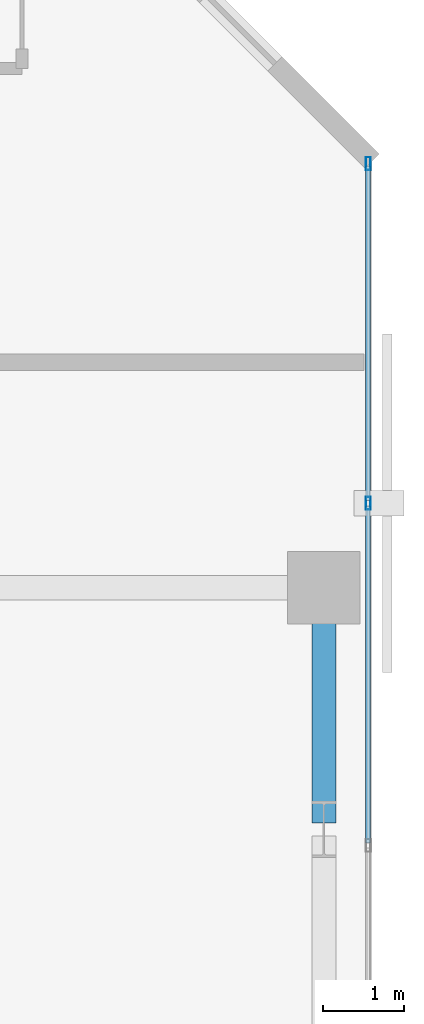
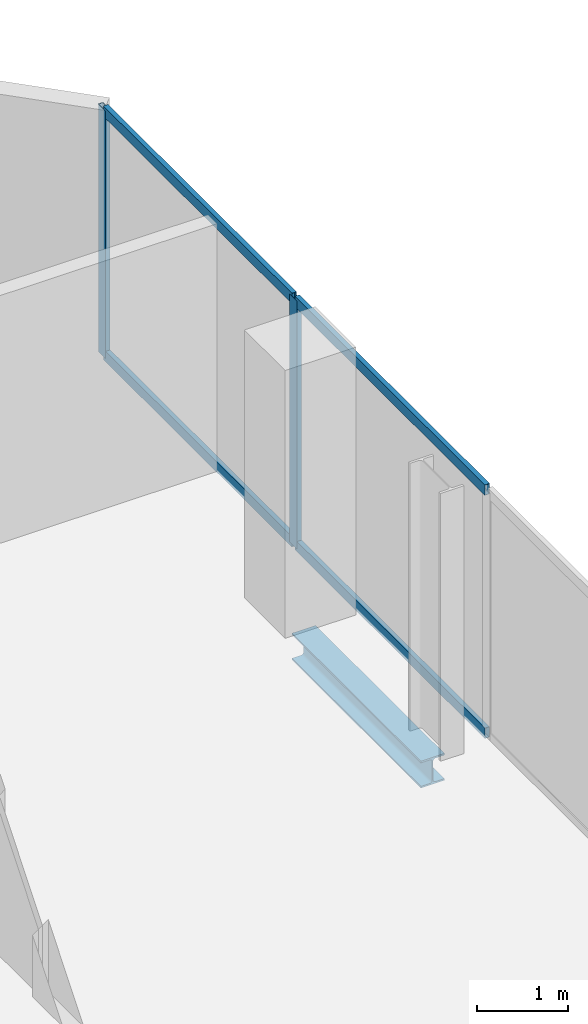
# One storey, part 26 of 34: 6 members, 1 beam, 1 element without a shape of its own.
"""IFC4 building model written with IfcOpenShell, lengths in metres."""

from ifc_helpers import new_model, si_unit, direction, frame, origin, origin_2d, place, context, subcontext, project, spatial, hollow_rectangle, i_section, extrude, material, layer, layer_set, material_profile, profile_set, type_object, element, aggregate, save


model = new_model("IFC4")

# Units and contexts
model_context = context("Model", 3, precision=1e-05, world=origin(), true_north=direction((0.0, 1.0)))
body_context = subcontext(model_context, "Body", "Model", "MODEL_VIEW")
ifc_project = project(units=[si_unit("LENGTHUNIT", "METRE"), si_unit("AREAUNIT", "SQUARE_METRE"), si_unit("VOLUMEUNIT", "CUBIC_METRE"), si_unit("PLANEANGLEUNIT", "RADIAN"), si_unit("MASSUNIT", "GRAM", prefix="KILO")], contexts=[model_context])

# Site, building, storey
site_placement = place(None, origin())
site = spatial("IfcSite", under=ifc_project, at=site_placement, CompositionType="ELEMENT")
building_placement = place(site_placement, origin())
building = spatial("IfcBuilding", under=site, at=building_placement, Name="Catumbela Crestline Tower", CompositionType="ELEMENT")
storey_placement = place(building_placement, frame((0.0, 0.0, 111.6)))
storey = spatial("IfcBuildingStorey", under=building, at=storey_placement, Name="L28", CompositionType="ELEMENT", Elevation=111.6)

# Curtain wall, members
ifc_material_1 = material(Name="Aluminium alloy AW-6060-T66", Category="aluminium")
ifc_layer = layer(ifc_material_1, 0.18, Name="Aluminium alloy AW-6060-T66")
ifc_layer_set = layer_set([ifc_layer], Name="Aluminium alloy AW-6060-T66")
curtain_wall_type = type_object("IfcCurtainWallType", Name="CWU-Z2", PredefinedType="USERDEFINED", material=ifc_layer_set)
curtain_wall_placement = place(storey_placement, origin())
curtain_wall = element("IfcCurtainWall", 1, at=curtain_wall_placement, inside=storey, type_object=curtain_wall_type, Name="L28 Unitised Curtain Wall CW-L28-E5S1", ObjectType="UNITISED", PredefinedType="USERDEFINED")
ifc_material_profile_1 = material_profile(ifc_material_1, hollow_rectangle(XDim=0.06, YDim=0.16, WallThickness=0.004, at=origin_2d()), Name="ALU 160x60x4")
ifc_profile_set_1 = profile_set([ifc_material_profile_1], Name="Aluminium alloy AW-6060-T66")
member_type_1 = type_object("IfcMemberType", Name="MUL-160X60", PredefinedType="MULLION", material=ifc_profile_set_1)
member_1_placement = place(storey_placement, frame((50.95, 40.25, 0.0), z_axis=(0.0, 0.0, 1.0), x_axis=(-1.0, 0.0, 0.0)))
member_1 = element("IfcMember", 2, at=member_1_placement, type_object=member_type_1, Name="CWU-Z2 mullion 4", PredefinedType="MULLION", context=body_context, shape_type="SweptSolid", body=[
    extrude(hollow_rectangle(XDim=0.06, YDim=0.16, WallThickness=0.004, at=origin_2d()), origin(), (0.0, 0.0, 1.0), 3.33),
])
member_2_placement = place(storey_placement, frame((50.95, 44.4675, 0.0), z_axis=(0.0, 0.0, 1.0), x_axis=(-1.0, 0.0, 0.0)))
member_2 = element("IfcMember", 3, at=member_2_placement, type_object=member_type_1, Name="CWU-Z2 mullion 5", PredefinedType="MULLION", context=body_context, shape_type="SweptSolid", body=[
    extrude(hollow_rectangle(XDim=0.06, YDim=0.16, WallThickness=0.004, at=origin_2d()), origin(), (0.0, 0.0, 1.0), 3.33),
])

# Beam
ifc_material_2 = material(Name="Structural steel S355J2", Category="steel")
ifc_material_profile_2 = material_profile(ifc_material_2, i_section(OverallWidth=0.3, OverallDepth=0.36, WebThickness=0.0125, FlangeThickness=0.0225, FilletRadius=0.027, at=origin_2d()), Name="HEB 360")
ifc_profile_set_2 = profile_set([ifc_material_profile_2], Name="Structural steel S355J2")
beam_type = type_object("IfcBeamType", Name="BS-HEB360", PredefinedType="SPANDREL", material=ifc_profile_set_2)
beam_placement = place(storey_placement, frame((50.4, 36.28, -0.44), z_axis=(0.0, 1.0, 0.0), x_axis=(-1.0, 0.0, 0.0)))
element("IfcBeam", 4, at=beam_placement, inside=storey, type_object=beam_type, Name="L28 Spandrel SP-L28-SN36", PredefinedType="SPANDREL", context=body_context, shape_type="SweptSolid", body=[
    extrude(i_section(OverallWidth=0.3, OverallDepth=0.36, WebThickness=0.0125, FlangeThickness=0.0225, FilletRadius=0.027, at=origin_2d()), origin(), (0.0, 0.0, 1.0), 2.84),
])

# Member
ifc_material_profile_3 = material_profile(ifc_material_1, hollow_rectangle(XDim=0.06, YDim=0.14, WallThickness=0.004, at=origin_2d()), Name="ALU 140x60x4")
ifc_profile_set_3 = profile_set([ifc_material_profile_3], Name="Aluminium alloy AW-6060-T66")
member_type_2 = type_object("IfcMemberType", Name="TRN-140X60", PredefinedType="USERDEFINED", material=ifc_profile_set_3)
member_3_placement = place(storey_placement, frame((50.95, 36.0325, 0.03), z_axis=(0.0, 1.0, 0.0), x_axis=(-1.0, 0.0, 0.0)))
member_3 = element("IfcMember", 5, at=member_3_placement, type_object=member_type_2, Name="CWU-Z2 transom 3.1", ObjectType="TRANSOM", PredefinedType="USERDEFINED", context=body_context, shape_type="SweptSolid", body=[
    extrude(hollow_rectangle(XDim=0.06, YDim=0.14, WallThickness=0.004, at=origin_2d()), origin(), (0.0, 0.0, 1.0), 4.185),
])

member_4_placement = place(storey_placement, frame((50.95, 36.0325, 3.3), z_axis=(0.0, 1.0, 0.0), x_axis=(-1.0, 0.0, 0.0)))
member_4 = element("IfcMember", 6, at=member_4_placement, type_object=member_type_2, Name="CWU-Z2 transom 3.2", ObjectType="TRANSOM", PredefinedType="USERDEFINED", context=body_context, shape_type="SweptSolid", body=[
    extrude(hollow_rectangle(XDim=0.06, YDim=0.14, WallThickness=0.004, at=origin_2d()), origin(), (0.0, 0.0, 1.0), 4.185),
])

member_5_placement = place(storey_placement, frame((50.95, 40.2825, 0.03), z_axis=(0.0, 1.0, 0.0), x_axis=(-1.0, 0.0, 0.0)))
member_5 = element("IfcMember", 7, at=member_5_placement, type_object=member_type_2, Name="CWU-Z2 transom 4.1", ObjectType="TRANSOM", PredefinedType="USERDEFINED", context=body_context, shape_type="SweptSolid", body=[
    extrude(hollow_rectangle(XDim=0.06, YDim=0.14, WallThickness=0.004, at=origin_2d()), origin(), (0.0, 0.0, 1.0), 4.1525),
])

member_6_placement = place(storey_placement, frame((50.95, 40.2825, 3.3), z_axis=(0.0, 1.0, 0.0), x_axis=(-1.0, 0.0, 0.0)))
member_6 = element("IfcMember", 8, at=member_6_placement, type_object=member_type_2, Name="CWU-Z2 transom 4.2", ObjectType="TRANSOM", PredefinedType="USERDEFINED", context=body_context, shape_type="SweptSolid", body=[
    extrude(hollow_rectangle(XDim=0.06, YDim=0.14, WallThickness=0.004, at=origin_2d()), origin(), (0.0, 0.0, 1.0), 4.1525),
])

aggregate(curtain_wall, [member_1, member_2, member_3, member_4, member_5, member_6])

save(model, "model.ifc")
